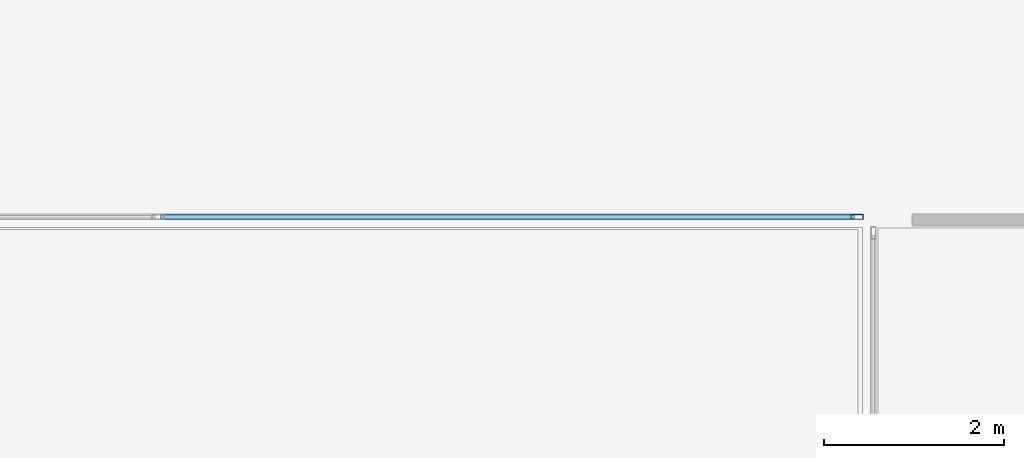
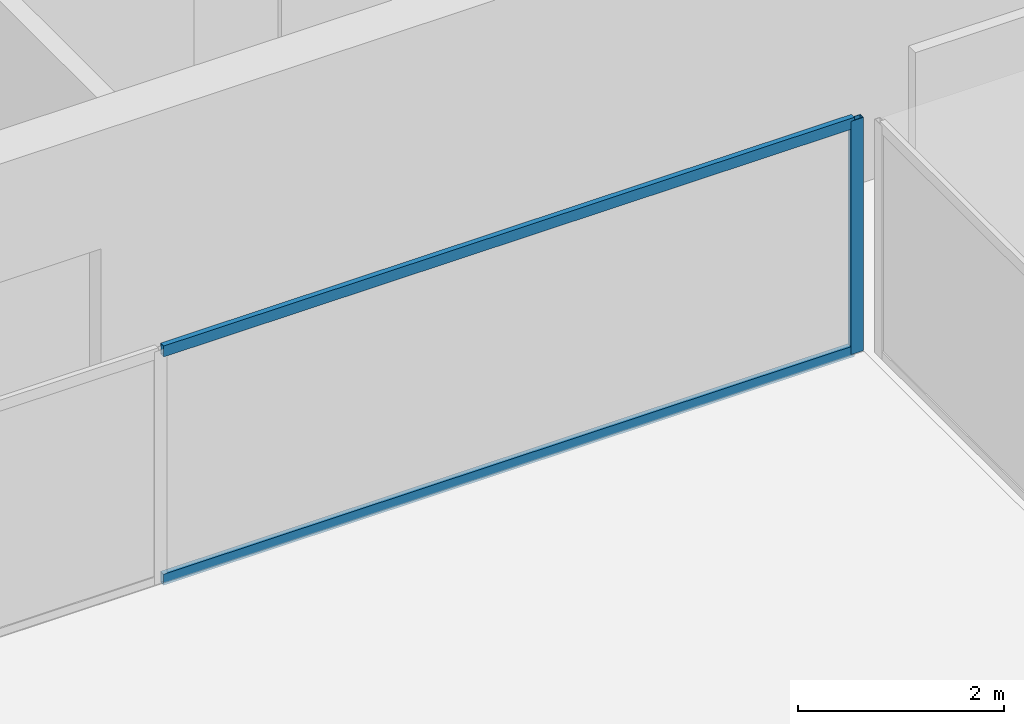
# One storey, part 11 of 30: 3 members, 1 element without a shape of its own.
"""IFC4 building model written with IfcOpenShell, lengths in metres."""

from ifc_helpers import new_model, si_unit, direction, frame, origin, origin_2d, place, context, subcontext, project, spatial, hollow_rectangle, extrude, source, transform, mapped, material, layer, layer_set, material_profile, profile_set, type_object, element, aggregate, save


model = new_model("IFC4")

# Units and contexts
model_context = context("Model", 3, precision=1e-05, world=origin(), true_north=direction((0.0, 1.0)))
body_context = subcontext(model_context, "Body", "Model", "MODEL_VIEW")
ifc_project = project(units=[si_unit("LENGTHUNIT", "METRE"), si_unit("AREAUNIT", "SQUARE_METRE"), si_unit("VOLUMEUNIT", "CUBIC_METRE"), si_unit("PLANEANGLEUNIT", "RADIAN"), si_unit("MASSUNIT", "GRAM", prefix="KILO")], contexts=[model_context])

# Site, building, storey
site_placement = place(None, origin())
site = spatial("IfcSite", under=ifc_project, at=site_placement, CompositionType="ELEMENT")
building_placement = place(site_placement, origin())
building = spatial("IfcBuilding", under=site, at=building_placement, Name="Sumidabori Civic Tower", CompositionType="ELEMENT")
storey_placement = place(building_placement, frame((0.0, 0.0, 196.39990234375)))
storey = spatial("IfcBuildingStorey", under=building, at=storey_placement, Name="L50", CompositionType="ELEMENT", Elevation=196.39990234375)

# Curtain wall, members
ifc_material = material(Name="Anodised Bronze Aluminium AW-6063-T6", Category="aluminium")
ifc_layer = layer(ifc_material, 0.179931640625, Name="Anodised Bronze Aluminium AW-6063-T6")
ifc_layer_set = layer_set([ifc_layer], Name="Anodised Bronze Aluminium AW-6063-T6")
curtain_wall_type = type_object("IfcCurtainWallType", Name="CW-SYS-4", PredefinedType="NOTDEFINED", material=ifc_layer_set)
curtain_wall_placement = place(storey_placement, origin())
curtain_wall = element("IfcCurtainWall", 1, at=curtain_wall_placement, inside=storey, type_object=curtain_wall_type, Name="Curtain Wall CW:L50:R05", PredefinedType="NOTDEFINED")
ifc_material_profile_1 = material_profile(ifc_material, hollow_rectangle(XDim=0.06005859375, YDim=0.139892578125, WallThickness=0.0048828125, at=origin_2d()), Name="ALU MULLION 140x60")
ifc_profile_set_1 = profile_set([ifc_material_profile_1], Name="Anodised Bronze Aluminium AW-6063-T6")
member_type_1 = type_object("IfcMemberType", Name="CW-MUL-140", PredefinedType="MULLION", material=ifc_profile_set_1)
shared_shape_1 = source(origin(), body_context, "Body", "SweptSolid", [
    extrude(hollow_rectangle(XDim=0.06005859375, YDim=0.139892578125, WallThickness=0.0048828125, at=origin_2d()), origin(), (0.0, 0.0, 1.0), 2.760009765625),
])
member_1_placement = place(storey_placement, frame((7.7900390625, 7.52001953125, 0.0), z_axis=(0.0, 0.0, 1.0), x_axis=(0.0, 1.0, 0.0)))
member_1 = element("IfcMember", 2, at=member_1_placement, type_object=member_type_1, Name="CW-4 mullion 3", PredefinedType="MULLION", context=body_context, shape_type="MappedRepresentation", body=[
    mapped(shared_shape_1, transform((0.0, 0.0, 0.0), x_axis=(1.0, 0.0, 0.0), y_axis=(0.0, 1.0, 0.0), z_axis=(0.0, 0.0, 1.0), scale=1.0)),
])
ifc_material_profile_2 = material_profile(ifc_material, hollow_rectangle(XDim=0.06005859375, YDim=0.1298828125, WallThickness=0.0048828125, at=origin_2d()), Name="ALU TRANSOM 130x60")
ifc_profile_set_2 = profile_set([ifc_material_profile_2], Name="Anodised Bronze Aluminium AW-6063-T6")
member_type_2 = type_object("IfcMemberType", Name="CW-TRN-130", PredefinedType="USERDEFINED", material=ifc_profile_set_2)
shared_shape_2 = source(origin(), body_context, "Body", "SweptSolid", [
    extrude(hollow_rectangle(XDim=0.06005859375, YDim=0.1298828125, WallThickness=0.0048828125, at=origin_2d()), origin(), (0.0, 0.0, 1.0), 7.72998046875),
])
member_2_placement = place(storey_placement, frame((0.030029296875, 7.52001953125, 0.030029296875), z_axis=(1.0, 0.0, 0.0), x_axis=(0.0, 1.0, 0.0)))
member_2 = element("IfcMember", 3, at=member_2_placement, type_object=member_type_2, Name="CW-4 transom 2.1", ObjectType="TRANSOM", PredefinedType="USERDEFINED", context=body_context, shape_type="MappedRepresentation", body=[
    mapped(shared_shape_2, transform((0.0, 0.0, 0.0), x_axis=(1.0, 0.0, 0.0), y_axis=(0.0, 1.0, 0.0), z_axis=(0.0, 0.0, 1.0), scale=1.0)),
])
member_3_placement = place(storey_placement, frame((0.030029296875, 7.52001953125, 2.72998046875), z_axis=(1.0, 0.0, 0.0), x_axis=(0.0, 1.0, 0.0)))
member_3 = element("IfcMember", 4, at=member_3_placement, type_object=member_type_2, Name="CW-4 transom 2.2", ObjectType="TRANSOM", PredefinedType="USERDEFINED", context=body_context, shape_type="MappedRepresentation", body=[
    mapped(shared_shape_2, transform((0.0, 0.0, 0.0), x_axis=(1.0, 0.0, 0.0), y_axis=(0.0, 1.0, 0.0), z_axis=(0.0, 0.0, 1.0), scale=1.0)),
])
aggregate(curtain_wall, [member_1, member_2, member_3])

save(model, "model.ifc")
